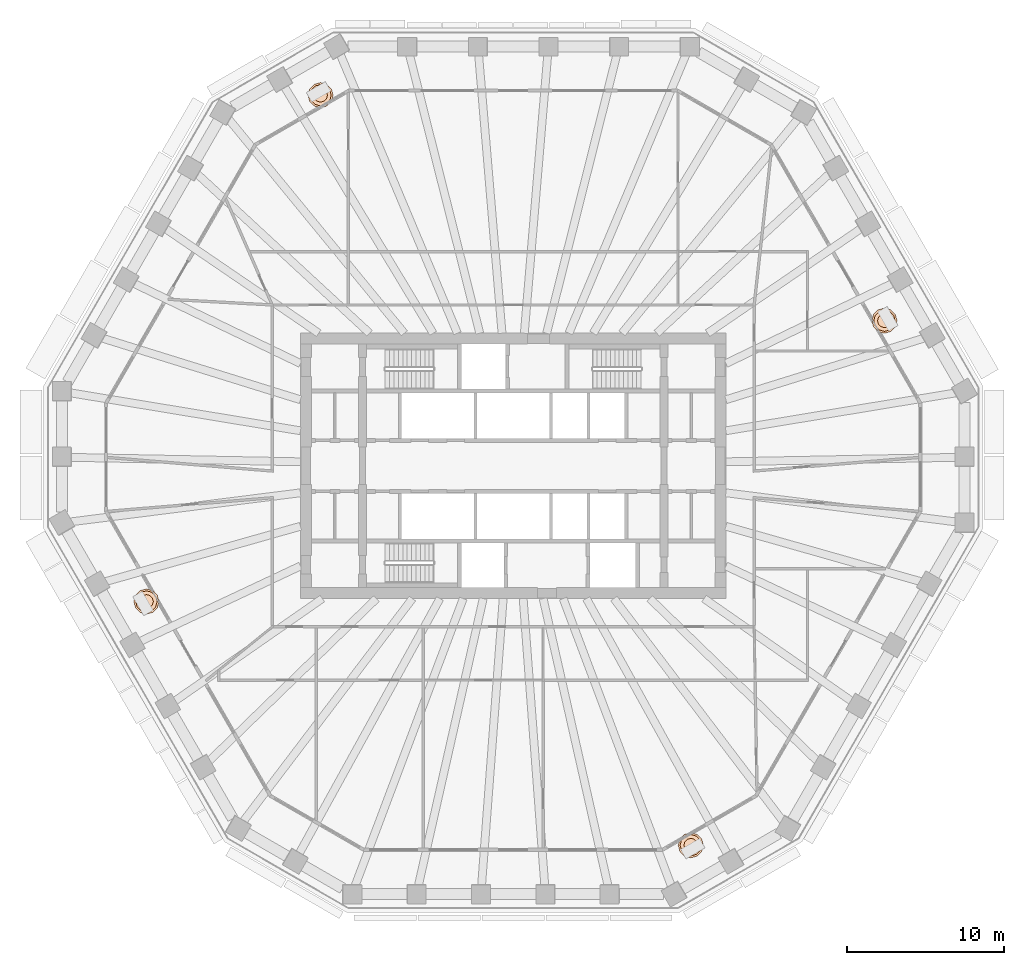
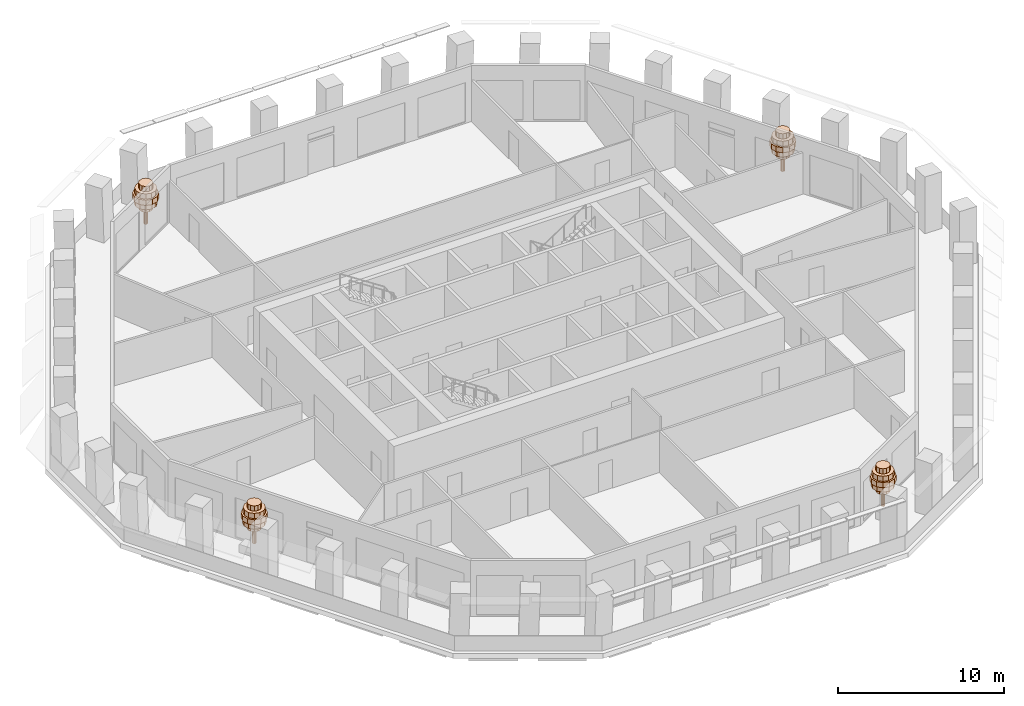
# One storey, part 12 of 12: 4 geographic elements.
"""IFC4 building model written with IfcOpenShell, lengths in metres."""

from ifc_helpers import new_model, si_unit, direction, frame, origin, place, context, subcontext, project, spatial, polyline, outline, extrude, material, type_object, element, save


model = new_model("IFC4")

# Units and contexts
model_context = context("Model", 3, precision=1e-05, world=origin(), true_north=direction((0.0, 1.0)))
body_context = subcontext(model_context, "Body", "Model", "MODEL_VIEW")
ifc_project = project(units=[si_unit("LENGTHUNIT", "METRE"), si_unit("AREAUNIT", "SQUARE_METRE"), si_unit("VOLUMEUNIT", "CUBIC_METRE"), si_unit("PLANEANGLEUNIT", "RADIAN"), si_unit("MASSUNIT", "GRAM", prefix="KILO")], contexts=[model_context])

# Site, building, storey
site_placement = place(None, origin())
site = spatial("IfcSite", under=ifc_project, at=site_placement, CompositionType="ELEMENT")
building_placement = place(site_placement, origin())
building = spatial("IfcBuilding", under=site, at=building_placement, Name="Frailejon Research Tower", CompositionType="ELEMENT")
storey_placement = place(building_placement, frame((0.0, 0.0, 162.800048828125)))
storey = spatial("IfcBuildingStorey", under=building, at=storey_placement, Name="L35", CompositionType="ELEMENT", Elevation=162.800048828125)

# Geographic elements
ifc_material = material(Name="Foliage, green")
geographic_element_type = type_object("IfcGeographicElementType", Name="Frailejon tree, loggia", PredefinedType="USERDEFINED", material=ifc_material)
geographic_element_1_placement = place(storey_placement, frame((23.647216796875, 9.247802734375, 0.599853515625)))
element("IfcGeographicElement", 1, at=geographic_element_1_placement, inside=storey, type_object=geographic_element_type, Name="Tree L35", ObjectType="TREE", PredefinedType="USERDEFINED", context=body_context, shape_type="SweptSolid", body=[
    extrude(outline(polyline([(0.1298828125, 0.0), (0.112548828125, 0.06494140625), (0.06494140625, 0.112548828125), (0.0, 0.1298828125), (-0.06494140625, 0.112548828125), (-0.112548828125, 0.06494140625), (-0.1298828125, 0.0), (-0.112548828125, -0.06494140625), (-0.06494140625, -0.112548828125), (0.0, -0.1298828125), (0.06494140625, -0.112548828125), (0.112548828125, -0.06494140625), (0.1298828125, 0.0)])), origin(), (0.0, 0.0, 1.0), 2.239990234375),
    extrude(outline(polyline([(0.43994140625, 0.0), (0.381103515625, 0.219970703125), (0.219970703125, 0.381103515625), (0.0, 0.43994140625), (-0.219970703125, 0.381103515625), (-0.381103515625, 0.219970703125), (-0.43994140625, 0.0), (-0.381103515625, -0.219970703125), (-0.219970703125, -0.381103515625), (0.0, -0.43994140625), (0.219970703125, -0.381103515625), (0.381103515625, -0.219970703125), (0.43994140625, 0.0)])), frame((0.0, 0.0, 1.10009765625)), (0.0, 0.0, 1.0), 0.3798828125),
    extrude(outline(polyline([(0.719970703125, 0.0), (0.62353515625, 0.360107421875), (0.360107421875, 0.62353515625), (0.0, 0.719970703125), (-0.360107421875, 0.62353515625), (-0.62353515625, 0.360107421875), (-0.719970703125, 0.0), (-0.62353515625, -0.360107421875), (-0.360107421875, -0.62353515625), (0.0, -0.719970703125), (0.360107421875, -0.62353515625), (0.62353515625, -0.360107421875), (0.719970703125, 0.0)])), frame((0.0, 0.0, 1.47998046875)), (0.0, 0.0, 1.0), 0.3798828125),
    extrude(outline(polyline([(0.800048828125, 0.0), (0.69287109375, 0.39990234375), (0.39990234375, 0.69287109375), (0.0, 0.800048828125), (-0.39990234375, 0.69287109375), (-0.69287109375, 0.39990234375), (-0.800048828125, 0.0), (-0.69287109375, -0.39990234375), (-0.39990234375, -0.69287109375), (0.0, -0.800048828125), (0.39990234375, -0.69287109375), (0.69287109375, -0.39990234375), (0.800048828125, 0.0)])), frame((0.0, 0.0, 1.860107421875)), (0.0, 0.0, 1.0), 0.3798828125),
    extrude(outline(polyline([(0.679931640625, 0.0), (0.5888671875, 0.340087890625), (0.340087890625, 0.5888671875), (0.0, 0.679931640625), (-0.340087890625, 0.5888671875), (-0.5888671875, 0.340087890625), (-0.679931640625, 0.0), (-0.5888671875, -0.340087890625), (-0.340087890625, -0.5888671875), (0.0, -0.679931640625), (0.340087890625, -0.5888671875), (0.5888671875, -0.340087890625), (0.679931640625, 0.0)])), frame((0.0, 0.0, 2.239990234375)), (0.0, 0.0, 1.0), 0.3798828125),
    extrude(outline(polyline([(0.43994140625, 0.0), (0.381103515625, 0.219970703125), (0.219970703125, 0.381103515625), (0.0, 0.43994140625), (-0.219970703125, 0.381103515625), (-0.381103515625, 0.219970703125), (-0.43994140625, 0.0), (-0.381103515625, -0.219970703125), (-0.219970703125, -0.381103515625), (0.0, -0.43994140625), (0.219970703125, -0.381103515625), (0.381103515625, -0.219970703125), (0.43994140625, 0.0)])), frame((0.0, 0.0, 2.6201171875)), (0.0, 0.0, 1.0), 0.3798828125),
])
geographic_element_2_placement = place(storey_placement, frame((-12.27001953125, 23.6103515625, 0.599853515625)))
element("IfcGeographicElement", 2, at=geographic_element_2_placement, inside=storey, type_object=geographic_element_type, Name="Tree L35", ObjectType="TREE", PredefinedType="USERDEFINED", context=body_context, shape_type="SweptSolid", body=[
    extrude(outline(polyline([(0.1298828125, 0.0), (0.112548828125, 0.06494140625), (0.06494140625, 0.112548828125), (0.0, 0.1298828125), (-0.06494140625, 0.112548828125), (-0.112548828125, 0.06494140625), (-0.1298828125, 0.0), (-0.112548828125, -0.06494140625), (-0.06494140625, -0.112548828125), (0.0, -0.1298828125), (0.06494140625, -0.112548828125), (0.112548828125, -0.06494140625), (0.1298828125, 0.0)])), origin(), (0.0, 0.0, 1.0), 2.239990234375),
    extrude(outline(polyline([(0.43994140625, 0.0), (0.381103515625, 0.219970703125), (0.219970703125, 0.381103515625), (0.0, 0.43994140625), (-0.219970703125, 0.381103515625), (-0.381103515625, 0.219970703125), (-0.43994140625, 0.0), (-0.381103515625, -0.219970703125), (-0.219970703125, -0.381103515625), (0.0, -0.43994140625), (0.219970703125, -0.381103515625), (0.381103515625, -0.219970703125), (0.43994140625, 0.0)])), frame((0.0, 0.0, 1.10009765625)), (0.0, 0.0, 1.0), 0.3798828125),
    extrude(outline(polyline([(0.719970703125, 0.0), (0.62353515625, 0.360107421875), (0.360107421875, 0.62353515625), (0.0, 0.719970703125), (-0.360107421875, 0.62353515625), (-0.62353515625, 0.360107421875), (-0.719970703125, 0.0), (-0.62353515625, -0.360107421875), (-0.360107421875, -0.62353515625), (0.0, -0.719970703125), (0.360107421875, -0.62353515625), (0.62353515625, -0.360107421875), (0.719970703125, 0.0)])), frame((0.0, 0.0, 1.47998046875)), (0.0, 0.0, 1.0), 0.3798828125),
    extrude(outline(polyline([(0.800048828125, 0.0), (0.69287109375, 0.39990234375), (0.39990234375, 0.69287109375), (0.0, 0.800048828125), (-0.39990234375, 0.69287109375), (-0.69287109375, 0.39990234375), (-0.800048828125, 0.0), (-0.69287109375, -0.39990234375), (-0.39990234375, -0.69287109375), (0.0, -0.800048828125), (0.39990234375, -0.69287109375), (0.69287109375, -0.39990234375), (0.800048828125, 0.0)])), frame((0.0, 0.0, 1.860107421875)), (0.0, 0.0, 1.0), 0.3798828125),
    extrude(outline(polyline([(0.679931640625, 0.0), (0.5888671875, 0.340087890625), (0.340087890625, 0.5888671875), (0.0, 0.679931640625), (-0.340087890625, 0.5888671875), (-0.5888671875, 0.340087890625), (-0.679931640625, 0.0), (-0.5888671875, -0.340087890625), (-0.340087890625, -0.5888671875), (0.0, -0.679931640625), (0.340087890625, -0.5888671875), (0.5888671875, -0.340087890625), (0.679931640625, 0.0)])), frame((0.0, 0.0, 2.239990234375)), (0.0, 0.0, 1.0), 0.3798828125),
    extrude(outline(polyline([(0.43994140625, 0.0), (0.381103515625, 0.219970703125), (0.219970703125, 0.381103515625), (0.0, 0.43994140625), (-0.219970703125, 0.381103515625), (-0.381103515625, 0.219970703125), (-0.43994140625, 0.0), (-0.381103515625, -0.219970703125), (-0.219970703125, -0.381103515625), (0.0, -0.43994140625), (0.219970703125, -0.381103515625), (0.381103515625, -0.219970703125), (0.43994140625, 0.0)])), frame((0.0, 0.0, 2.6201171875)), (0.0, 0.0, 1.0), 0.3798828125),
])
geographic_element_3_placement = place(storey_placement, frame((-23.35986328125, -8.639404296875, 0.599853515625)))
element("IfcGeographicElement", 3, at=geographic_element_3_placement, inside=storey, type_object=geographic_element_type, Name="Tree L35", ObjectType="TREE", PredefinedType="USERDEFINED", context=body_context, shape_type="SweptSolid", body=[
    extrude(outline(polyline([(0.1298828125, 0.0), (0.112548828125, 0.06494140625), (0.06494140625, 0.112548828125), (0.0, 0.1298828125), (-0.06494140625, 0.112548828125), (-0.112548828125, 0.06494140625), (-0.1298828125, 0.0), (-0.112548828125, -0.06494140625), (-0.06494140625, -0.112548828125), (0.0, -0.1298828125), (0.06494140625, -0.112548828125), (0.112548828125, -0.06494140625), (0.1298828125, 0.0)])), origin(), (0.0, 0.0, 1.0), 2.239990234375),
    extrude(outline(polyline([(0.43994140625, 0.0), (0.381103515625, 0.219970703125), (0.219970703125, 0.381103515625), (0.0, 0.43994140625), (-0.219970703125, 0.381103515625), (-0.381103515625, 0.219970703125), (-0.43994140625, 0.0), (-0.381103515625, -0.219970703125), (-0.219970703125, -0.381103515625), (0.0, -0.43994140625), (0.219970703125, -0.381103515625), (0.381103515625, -0.219970703125), (0.43994140625, 0.0)])), frame((0.0, 0.0, 1.10009765625)), (0.0, 0.0, 1.0), 0.3798828125),
    extrude(outline(polyline([(0.719970703125, 0.0), (0.62353515625, 0.360107421875), (0.360107421875, 0.62353515625), (0.0, 0.719970703125), (-0.360107421875, 0.62353515625), (-0.62353515625, 0.360107421875), (-0.719970703125, 0.0), (-0.62353515625, -0.360107421875), (-0.360107421875, -0.62353515625), (0.0, -0.719970703125), (0.360107421875, -0.62353515625), (0.62353515625, -0.360107421875), (0.719970703125, 0.0)])), frame((0.0, 0.0, 1.47998046875)), (0.0, 0.0, 1.0), 0.3798828125),
    extrude(outline(polyline([(0.800048828125, 0.0), (0.69287109375, 0.39990234375), (0.39990234375, 0.69287109375), (0.0, 0.800048828125), (-0.39990234375, 0.69287109375), (-0.69287109375, 0.39990234375), (-0.800048828125, 0.0), (-0.69287109375, -0.39990234375), (-0.39990234375, -0.69287109375), (0.0, -0.800048828125), (0.39990234375, -0.69287109375), (0.69287109375, -0.39990234375), (0.800048828125, 0.0)])), frame((0.0, 0.0, 1.860107421875)), (0.0, 0.0, 1.0), 0.3798828125),
    extrude(outline(polyline([(0.679931640625, 0.0), (0.5888671875, 0.340087890625), (0.340087890625, 0.5888671875), (0.0, 0.679931640625), (-0.340087890625, 0.5888671875), (-0.5888671875, 0.340087890625), (-0.679931640625, 0.0), (-0.5888671875, -0.340087890625), (-0.340087890625, -0.5888671875), (0.0, -0.679931640625), (0.340087890625, -0.5888671875), (0.5888671875, -0.340087890625), (0.679931640625, 0.0)])), frame((0.0, 0.0, 2.239990234375)), (0.0, 0.0, 1.0), 0.3798828125),
    extrude(outline(polyline([(0.43994140625, 0.0), (0.381103515625, 0.219970703125), (0.219970703125, 0.381103515625), (0.0, 0.43994140625), (-0.219970703125, 0.381103515625), (-0.381103515625, 0.219970703125), (-0.43994140625, 0.0), (-0.381103515625, -0.219970703125), (-0.219970703125, -0.381103515625), (0.0, -0.43994140625), (0.219970703125, -0.381103515625), (0.381103515625, -0.219970703125), (0.43994140625, 0.0)])), frame((0.0, 0.0, 2.6201171875)), (0.0, 0.0, 1.0), 0.3798828125),
])
geographic_element_4_placement = place(storey_placement, frame((11.31201171875, -24.163330078125, 0.599853515625)))
element("IfcGeographicElement", 4, at=geographic_element_4_placement, inside=storey, type_object=geographic_element_type, Name="Tree L35", ObjectType="TREE", PredefinedType="USERDEFINED", context=body_context, shape_type="SweptSolid", body=[
    extrude(outline(polyline([(0.1298828125, 0.0), (0.112548828125, 0.06494140625), (0.06494140625, 0.112548828125), (0.0, 0.1298828125), (-0.06494140625, 0.112548828125), (-0.112548828125, 0.06494140625), (-0.1298828125, 0.0), (-0.112548828125, -0.06494140625), (-0.06494140625, -0.112548828125), (0.0, -0.1298828125), (0.06494140625, -0.112548828125), (0.112548828125, -0.06494140625), (0.1298828125, 0.0)])), origin(), (0.0, 0.0, 1.0), 2.239990234375),
    extrude(outline(polyline([(0.43994140625, 0.0), (0.381103515625, 0.219970703125), (0.219970703125, 0.381103515625), (0.0, 0.43994140625), (-0.219970703125, 0.381103515625), (-0.381103515625, 0.219970703125), (-0.43994140625, 0.0), (-0.381103515625, -0.219970703125), (-0.219970703125, -0.381103515625), (0.0, -0.43994140625), (0.219970703125, -0.381103515625), (0.381103515625, -0.219970703125), (0.43994140625, 0.0)])), frame((0.0, 0.0, 1.10009765625)), (0.0, 0.0, 1.0), 0.3798828125),
    extrude(outline(polyline([(0.719970703125, 0.0), (0.62353515625, 0.360107421875), (0.360107421875, 0.62353515625), (0.0, 0.719970703125), (-0.360107421875, 0.62353515625), (-0.62353515625, 0.360107421875), (-0.719970703125, 0.0), (-0.62353515625, -0.360107421875), (-0.360107421875, -0.62353515625), (0.0, -0.719970703125), (0.360107421875, -0.62353515625), (0.62353515625, -0.360107421875), (0.719970703125, 0.0)])), frame((0.0, 0.0, 1.47998046875)), (0.0, 0.0, 1.0), 0.3798828125),
    extrude(outline(polyline([(0.800048828125, 0.0), (0.69287109375, 0.39990234375), (0.39990234375, 0.69287109375), (0.0, 0.800048828125), (-0.39990234375, 0.69287109375), (-0.69287109375, 0.39990234375), (-0.800048828125, 0.0), (-0.69287109375, -0.39990234375), (-0.39990234375, -0.69287109375), (0.0, -0.800048828125), (0.39990234375, -0.69287109375), (0.69287109375, -0.39990234375), (0.800048828125, 0.0)])), frame((0.0, 0.0, 1.860107421875)), (0.0, 0.0, 1.0), 0.3798828125),
    extrude(outline(polyline([(0.679931640625, 0.0), (0.5888671875, 0.340087890625), (0.340087890625, 0.5888671875), (0.0, 0.679931640625), (-0.340087890625, 0.5888671875), (-0.5888671875, 0.340087890625), (-0.679931640625, 0.0), (-0.5888671875, -0.340087890625), (-0.340087890625, -0.5888671875), (0.0, -0.679931640625), (0.340087890625, -0.5888671875), (0.5888671875, -0.340087890625), (0.679931640625, 0.0)])), frame((0.0, 0.0, 2.239990234375)), (0.0, 0.0, 1.0), 0.3798828125),
    extrude(outline(polyline([(0.43994140625, 0.0), (0.381103515625, 0.219970703125), (0.219970703125, 0.381103515625), (0.0, 0.43994140625), (-0.219970703125, 0.381103515625), (-0.381103515625, 0.219970703125), (-0.43994140625, 0.0), (-0.381103515625, -0.219970703125), (-0.219970703125, -0.381103515625), (0.0, -0.43994140625), (0.219970703125, -0.381103515625), (0.381103515625, -0.219970703125), (0.43994140625, 0.0)])), frame((0.0, 0.0, 2.6201171875)), (0.0, 0.0, 1.0), 0.3798828125),
])

save(model, "model.ifc")
